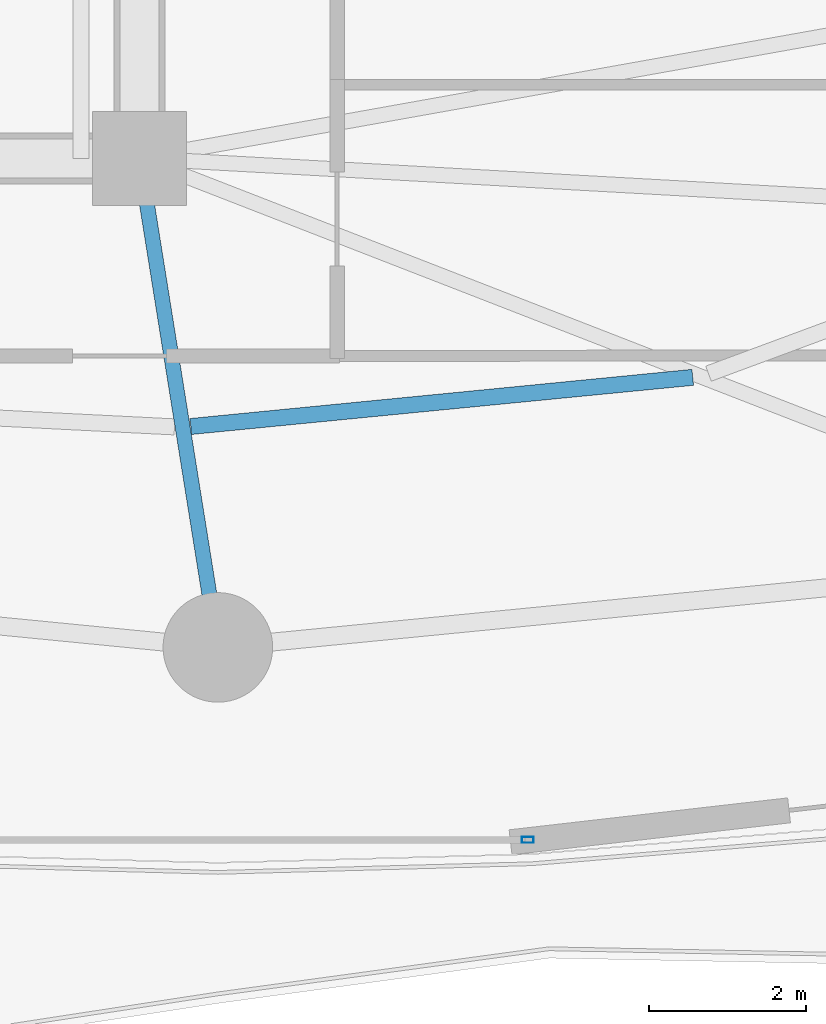
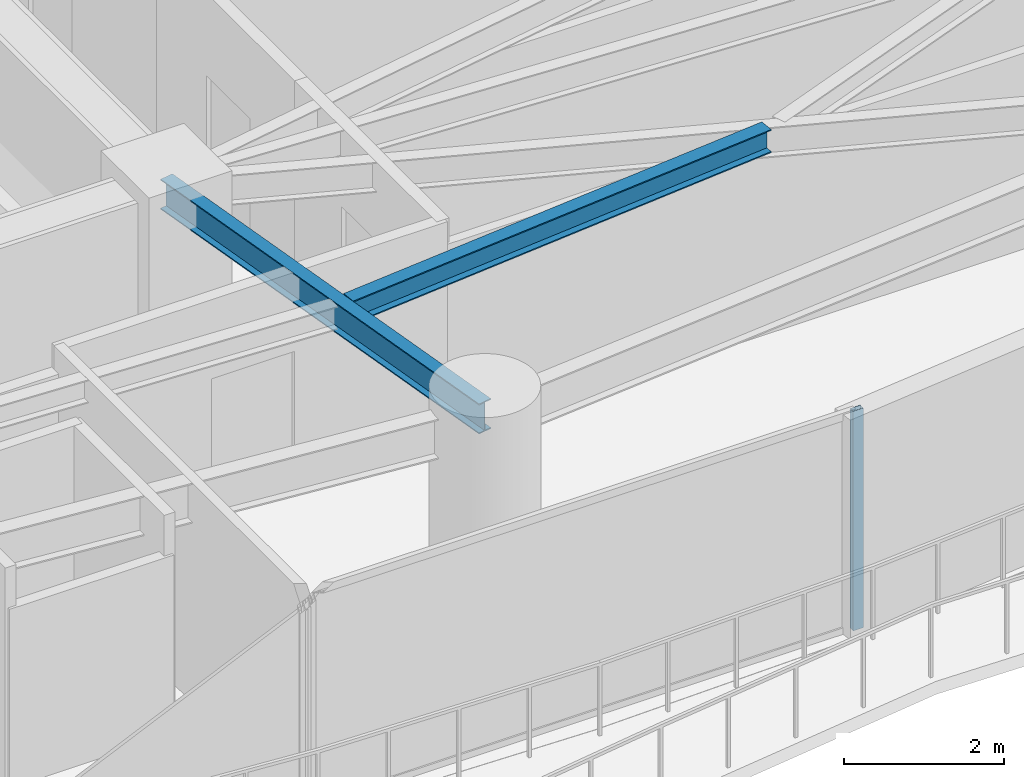
# One storey, part 10 of 31: 2 beams, 1 member, 1 element without a shape of its own.
"""IFC4 building model written with IfcOpenShell, lengths in metres."""

from ifc_helpers import new_model, si_unit, direction, frame, origin, origin_2d, place, context, subcontext, project, spatial, hollow_rectangle, i_section, extrude, material, layer, layer_set, material_profile, profile_set, type_object, element, aggregate, save


model = new_model("IFC4")

# Units and contexts
model_context = context("Model", 3, precision=1e-05, world=origin(), true_north=direction((0.0, 1.0)))
body_context = subcontext(model_context, "Body", "Model", "MODEL_VIEW")
ifc_project = project(units=[si_unit("LENGTHUNIT", "METRE"), si_unit("AREAUNIT", "SQUARE_METRE"), si_unit("VOLUMEUNIT", "CUBIC_METRE"), si_unit("PLANEANGLEUNIT", "RADIAN"), si_unit("MASSUNIT", "GRAM", prefix="KILO")], contexts=[model_context])

# Site, building, storey
site_placement = place(None, origin())
site = spatial("IfcSite", under=ifc_project, at=site_placement, CompositionType="ELEMENT")
building_placement = place(site_placement, origin())
building = spatial("IfcBuilding", under=site, at=building_placement, Name="Kazevale Care Tower and Concert Hall", CompositionType="ELEMENT")
storey_placement = place(building_placement, frame((0.0, 0.0, 60.0)))
storey = spatial("IfcBuildingStorey", under=building, at=storey_placement, Name="L15", CompositionType="ELEMENT", Elevation=60.0)

# Curtain wall, member
ifc_material_1 = material(Name="Aluminium 6063-T6 and Low-E Glass", Category="aluminium")
ifc_layer = layer(ifc_material_1, 0.179931640625)
ifc_layer_set = layer_set([ifc_layer], Name="Aluminium 6063-T6 and Low-E Glass")
curtain_wall_type = type_object("IfcCurtainWallType", Name="Sheltered Concave Balcony Curtain Wall CW-5", PredefinedType="NOTDEFINED", material=ifc_layer_set)
curtain_wall_placement = place(storey_placement, origin())
curtain_wall = element("IfcCurtainWall", 1, at=curtain_wall_placement, inside=storey, type_object=curtain_wall_type, Name="cw:L15:f06", PredefinedType="NOTDEFINED")
ifc_material_2 = material(Name="Aluminium 6063-T6", Category="aluminium")
ifc_material_profile_1 = material_profile(ifc_material_2, hollow_rectangle(XDim=0.074951171875, YDim=0.14990234375, WallThickness=0.00390625, at=origin_2d()), Name="ALU75x150x4")
ifc_profile_set_1 = profile_set([ifc_material_profile_1], Name="Aluminium 6063-T6")
member_type = type_object("IfcMemberType", Name="CW-5 Mullion ALU75x150x4", PredefinedType="MULLION", material=ifc_profile_set_1)
member_placement = place(storey_placement, frame((48.96044921875, 14.889892578125, 0.0), z_axis=(0.0, 0.0, 1.0), x_axis=(0.0, -1.0, 0.0)))
member = element("IfcMember", 2, at=member_placement, type_object=member_type, Name="CW-5 mullion 1", PredefinedType="MULLION", context=body_context, shape_type="SweptSolid", body=[
    extrude(hollow_rectangle(XDim=0.074951171875, YDim=0.14990234375, WallThickness=0.00390625, at=origin_2d()), origin(), (0.0, 0.0, 1.0), 3.360107421875),
])
aggregate(curtain_wall, [member])

# Beams
ifc_material_3 = material(Name="Steel ASTM A572 Gr 50", Category="steel")
ifc_material_profile_2 = material_profile(ifc_material_3, i_section(OverallWidth=0.19091796875, OverallDepth=0.4599609375, WebThickness=0.010009765625, FlangeThickness=0.01611328125, at=origin_2d()), Name="W460x82")
ifc_profile_set_2 = profile_set([ifc_material_profile_2], Name="Steel ASTM A572 Gr 50")
beam_type_1 = type_object("IfcBeamType", Name="Radial Floor Beam W460x82", PredefinedType="BEAM", material=ifc_profile_set_2)
beam_1_placement = place(storey_placement, frame((44.0, 23.60009765625, 3.1298828125), z_axis=(0.157990501107, -0.987440631917, 0.0), x_axis=(0.987440631917, 0.157990501107, 0.0)))
element("IfcBeam", 3, at=beam_1_placement, inside=storey, type_object=beam_type_1, Name="beam:L15:rad:13", PredefinedType="BEAM", context=body_context, shape_type="SweptSolid", body=[
    extrude(i_section(OverallWidth=0.19091796875, OverallDepth=0.4599609375, WebThickness=0.010009765625, FlangeThickness=0.01611328125, at=origin_2d()), origin(), (0.0, 0.0, 1.0), 6.32958984375),
])
ifc_material_profile_3 = material_profile(ifc_material_3, i_section(OverallWidth=0.205078125, OverallDepth=0.35400390625, WebThickness=0.009521484375, FlangeThickness=0.016845703125, at=origin_2d()), Name="W360x79")
ifc_profile_set_3 = profile_set([ifc_material_profile_3], Name="Steel ASTM A572 Gr 50")
beam_type_2 = type_object("IfcBeamType", Name="Secondary Floor Joist W360x79", PredefinedType="JOIST", material=ifc_profile_set_3)
beam_2_placement = place(storey_placement, frame((44.654052734375, 20.173095703125, 3.18310546875), z_axis=(0.995242075791, 0.097433108212, 0.0), x_axis=(-0.097433108212, 0.995242075791, 0.0)))
element("IfcBeam", 4, at=beam_2_placement, inside=storey, type_object=beam_type_2, Name="beam:L15:joist:13", PredefinedType="JOIST", context=body_context, shape_type="SweptSolid", body=[
    extrude(i_section(OverallWidth=0.205078125, OverallDepth=0.35400390625, WebThickness=0.009521484375, FlangeThickness=0.016845703125, at=origin_2d()), origin(), (0.0, 0.0, 1.0), 6.44482421875),
])

save(model, "model.ifc")
